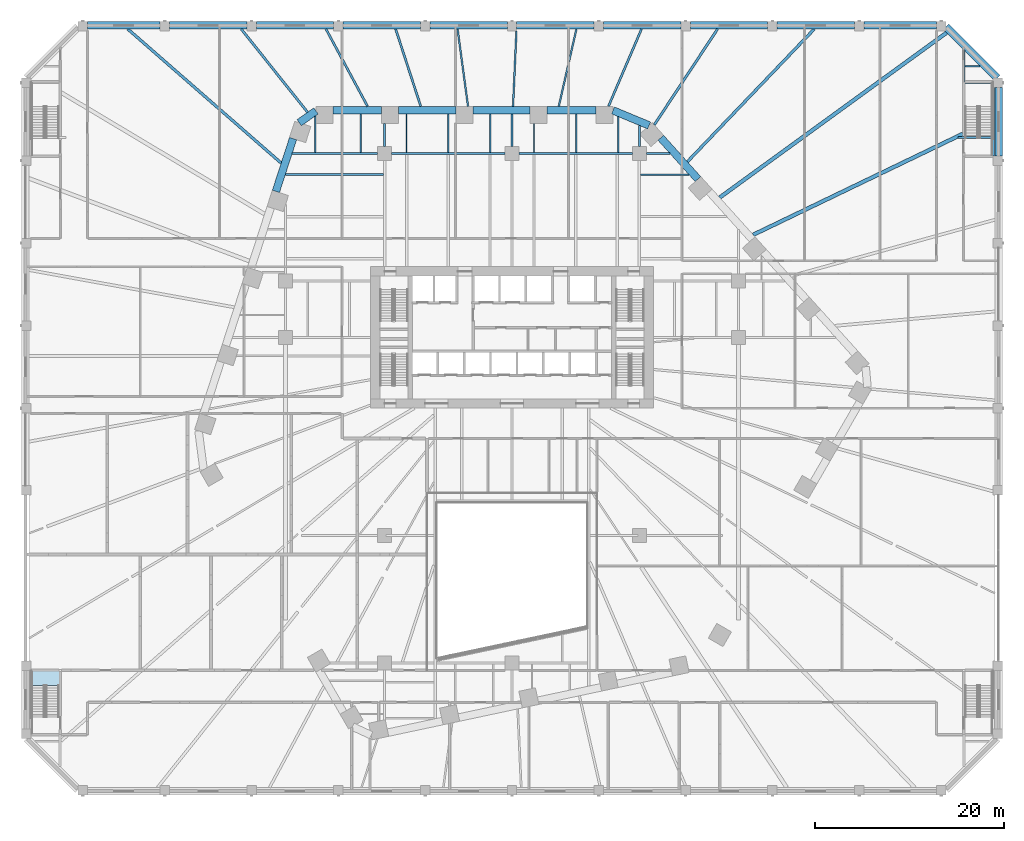
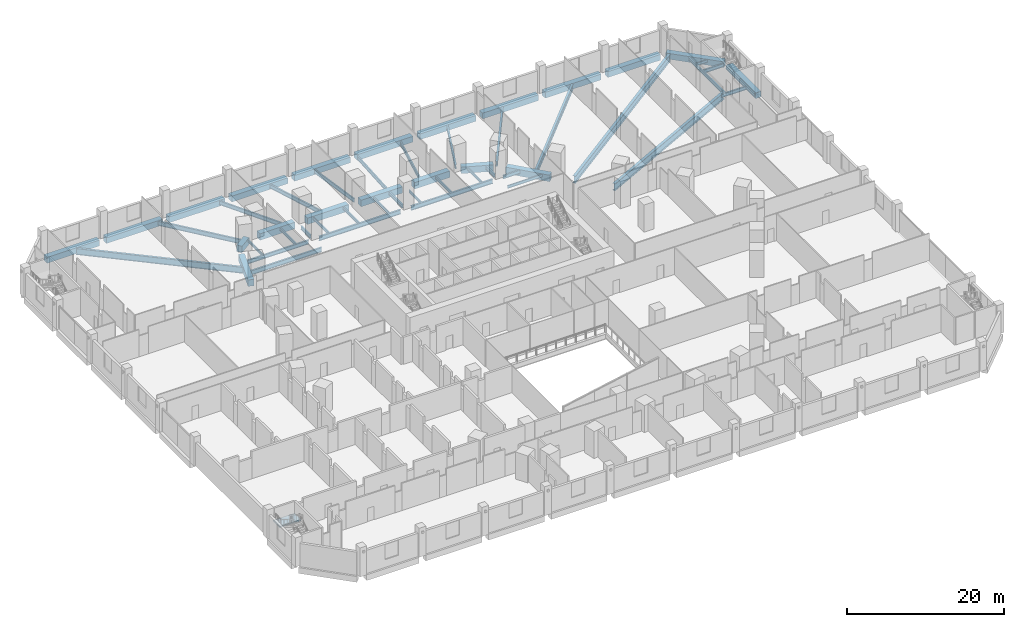
# One storey, part 11 of 33: 54 beams, 1 slab, 1 element without a shape of its own.
"""IFC4 building model written with IfcOpenShell, lengths in metres."""

from ifc_helpers import new_model, si_unit, direction, frame, origin, origin_2d, place, context, subcontext, project, spatial, polyline, rectangle, i_section, outline, extrude, material, layer, layer_set, material_profile, profile_set, type_object, element, aggregate, save


model = new_model("IFC4")

# Units and contexts
model_context = context("Model", 3, precision=1e-05, world=origin(), true_north=direction((0.0, 1.0)))
body_context = subcontext(model_context, "Body", "Model", "MODEL_VIEW")
ifc_project = project(units=[si_unit("LENGTHUNIT", "METRE"), si_unit("AREAUNIT", "SQUARE_METRE"), si_unit("VOLUMEUNIT", "CUBIC_METRE"), si_unit("PLANEANGLEUNIT", "RADIAN"), si_unit("MASSUNIT", "GRAM", prefix="KILO")], contexts=[model_context])

# Site, building, storey
site_placement = place(None, origin())
site = spatial("IfcSite", under=ifc_project, at=site_placement, CompositionType="ELEMENT")
building_placement = place(site_placement, origin())
building = spatial("IfcBuilding", under=site, at=building_placement, Name="Isthmus Gate Tower", CompositionType="ELEMENT")
storey_placement = place(building_placement, frame((0.0, 0.0, 22.5)))
storey = spatial("IfcBuildingStorey", under=building, at=storey_placement, Name="L03", CompositionType="ELEMENT", Elevation=22.5)

# Beams
ifc_material_1 = material(Name="Concrete f'c 70 MPa", Category="concrete")
ifc_material_profile_1 = material_profile(ifc_material_1, rectangle(XDim=0.800048828125, YDim=0.89990234375, at=origin_2d()), Name="RC 800X900")
ifc_profile_set_1 = profile_set([ifc_material_profile_1], Name="Concrete f'c 70 MPa")
beam_type_1 = type_object("IfcBeamType", Name="RC EDGE BEAM 800 X 900", PredefinedType="BEAM", material=ifc_profile_set_1)
beam_1_placement = place(storey_placement, frame((-45.0, 40.60009765625, -0.75), z_axis=(1.0, 0.0, 0.0), x_axis=(0.0, 1.0, 0.0)))
element("IfcBeam", 1, at=beam_1_placement, inside=storey, type_object=beam_type_1, Name="str-edgebeam-L03-09", PredefinedType="BEAM", context=body_context, shape_type="SweptSolid", body=[
    extrude(rectangle(XDim=0.800048828125, YDim=0.89990234375, at=origin_2d()), origin(), (0.0, 0.0, 1.0), 7.699951171875),
])
beam_2_placement = place(storey_placement, frame((-36.300048828125, 40.60009765625, -0.75), z_axis=(1.0, 0.0, 0.0), x_axis=(0.0, 1.0, 0.0)))
element("IfcBeam", 2, at=beam_2_placement, inside=storey, type_object=beam_type_1, Name="str-edgebeam-L03-10", PredefinedType="BEAM", context=body_context, shape_type="SweptSolid", body=[
    extrude(rectangle(XDim=0.800048828125, YDim=0.89990234375, at=origin_2d()), origin(), (0.0, 0.0, 1.0), 8.199951171875),
])
beam_3_placement = place(storey_placement, frame((-27.10009765625, 40.60009765625, -0.75), z_axis=(1.0, 0.0, 0.0), x_axis=(0.0, 1.0, 0.0)))
element("IfcBeam", 3, at=beam_3_placement, inside=storey, type_object=beam_type_1, Name="str-edgebeam-L03-11", PredefinedType="BEAM", context=body_context, shape_type="SweptSolid", body=[
    extrude(rectangle(XDim=0.800048828125, YDim=0.89990234375, at=origin_2d()), origin(), (0.0, 0.0, 1.0), 8.2001953125),
])
for number, where, z_axis, x_axis, name in (
    (4, (-17.89990234375, 40.60009765625, -0.75), (1.0, 0.0, 0.0), (0.0, 1.0, 0.0), "str-edgebeam-L03-12"),
    (5, (-8.699951171875, 40.60009765625, -0.75), (1.0, 0.0, 0.0), (0.0, 1.0, 0.0), "str-edgebeam-L03-13"),
    (6, (0.5, 40.60009765625, -0.75), (1.0, 0.0, 0.0), (0.0, 1.0, 0.0), "str-edgebeam-L03-14"),
    (7, (9.699951171875, 40.60009765625, -0.75), (1.0, 0.0, 0.0), (0.0, 1.0, 0.0), "str-edgebeam-L03-15"),
):
    element("IfcBeam", number, at=place(storey_placement, frame(where, z_axis=z_axis, x_axis=x_axis)), inside=storey, type_object=beam_type_1, Name=name, PredefinedType="BEAM", context=body_context, shape_type="SweptSolid", body=[
        extrude(rectangle(XDim=0.800048828125, YDim=0.89990234375, at=origin_2d()), origin(), (0.0, 0.0, 1.0), 8.199951171875),
    ])
beam_4_placement = place(storey_placement, frame((18.89990234375, 40.60009765625, -0.75), z_axis=(1.0, 0.0, 0.0), x_axis=(0.0, 1.0, 0.0)))
element("IfcBeam", 8, at=beam_4_placement, inside=storey, type_object=beam_type_1, Name="str-edgebeam-L03-16", PredefinedType="BEAM", context=body_context, shape_type="SweptSolid", body=[
    extrude(rectangle(XDim=0.800048828125, YDim=0.89990234375, at=origin_2d()), origin(), (0.0, 0.0, 1.0), 8.2001953125),
])
beam_5_placement = place(storey_placement, frame((28.10009765625, 40.60009765625, -0.75), z_axis=(1.0, 0.0, 0.0), x_axis=(0.0, 1.0, 0.0)))
element("IfcBeam", 9, at=beam_5_placement, inside=storey, type_object=beam_type_1, Name="str-edgebeam-L03-17", PredefinedType="BEAM", context=body_context, shape_type="SweptSolid", body=[
    extrude(rectangle(XDim=0.800048828125, YDim=0.89990234375, at=origin_2d()), origin(), (0.0, 0.0, 1.0), 8.199951171875),
])
beam_6_placement = place(storey_placement, frame((37.300048828125, 40.60009765625, -0.75), z_axis=(1.0, 0.0, 0.0), x_axis=(0.0, 1.0, 0.0)))
element("IfcBeam", 10, at=beam_6_placement, inside=storey, type_object=beam_type_1, Name="str-edgebeam-L03-18", PredefinedType="BEAM", context=body_context, shape_type="SweptSolid", body=[
    extrude(rectangle(XDim=0.800048828125, YDim=0.89990234375, at=origin_2d()), origin(), (0.0, 0.0, 1.0), 7.699951171875),
])
beam_7_placement = place(storey_placement, frame((46.0, 40.434326171875, -0.75), z_axis=(0.707106781187, -0.707106781187, 0.0), x_axis=(0.707106781187, 0.707106781187, 0.0)))
element("IfcBeam", 11, at=beam_7_placement, inside=storey, type_object=beam_type_1, Name="str-edgebeam-L03-19", PredefinedType="BEAM", context=body_context, shape_type="SweptSolid", body=[
    extrude(rectangle(XDim=0.800048828125, YDim=0.89990234375, at=origin_2d()), origin(), (0.0, 0.0, 1.0), 7.685302734375),
])
beam_8_placement = place(storey_placement, frame((51.60009765625, 34.0, -0.75), z_axis=(0.0, -1.0, 0.0), x_axis=(1.0, 0.0, 0.0)))
element("IfcBeam", 12, at=beam_8_placement, inside=storey, type_object=beam_type_1, Name="str-edgebeam-L03-20", PredefinedType="BEAM", context=body_context, shape_type="SweptSolid", body=[
    extrude(rectangle(XDim=0.800048828125, YDim=0.89990234375, at=origin_2d()), origin(), (0.0, 0.0, 1.0), 7.25),
])
ifc_material_2 = material(Name="Concrete f'c 70 MPa", Category="concrete")
ifc_material_profile_2 = material_profile(ifc_material_2, rectangle(XDim=0.800048828125, YDim=1.0, at=origin_2d()), Name="RC 800X1000")
ifc_profile_set_2 = profile_set([ifc_material_profile_2], Name="Concrete f'c 70 MPa")
beam_type_2 = type_object("IfcBeamType", Name="RC TUBE RING BEAM 800 X 1000", PredefinedType="BEAM", material=ifc_profile_set_2)
beam_9_placement = place(storey_placement, frame((10.701904296875, 31.56689453125, -0.800048828125), z_axis=(0.923334166719, -0.383997417399, 0.0), x_axis=(0.383997417399, 0.923334166719, 0.0)))
element("IfcBeam", 13, at=beam_9_placement, inside=storey, type_object=beam_type_2, Name="str-ringbeam-L03-00", PredefinedType="BEAM", context=body_context, shape_type="SweptSolid", body=[
    extrude(rectangle(XDim=0.800048828125, YDim=1.0, at=origin_2d()), origin(), (0.0, 0.0, 1.0), 4.15234375),
])
for number, where, z_axis, x_axis, name in (
    (14, (15.772216796875, 28.66357421875, -0.800048828125), (0.669141061586, -0.743135411415, 0.0), (0.743135411415, 0.669141061586, 0.0), "str-ringbeam-L03-01"),
    (15, (-25.02490234375, 22.978271484375, -0.800048828125), (0.309042953764, 0.951048081187, 0.0), (-0.951048081187, 0.309042953764, 0.0), "str-ringbeam-L03-18"),
):
    element("IfcBeam", number, at=place(storey_placement, frame(where, z_axis=z_axis, x_axis=x_axis)), inside=storey, type_object=beam_type_2, Name=name, PredefinedType="BEAM", context=body_context, shape_type="SweptSolid", body=[
        extrude(rectangle(XDim=0.800048828125, YDim=1.0, at=origin_2d()), origin(), (0.0, 0.0, 1.0), 5.889404296875),
    ])
beam_10_placement = place(storey_placement, frame((-22.553466796875, 30.260498046875, -0.800048828125), z_axis=(0.817857331203, 0.575421050882, 0.0), x_axis=(-0.575421050882, 0.817857331203, 0.0)))
element("IfcBeam", 16, at=beam_10_placement, inside=storey, type_object=beam_type_2, Name="str-ringbeam-L03-19", PredefinedType="BEAM", context=body_context, shape_type="SweptSolid", body=[
    extrude(rectangle(XDim=0.800048828125, YDim=1.0, at=origin_2d()), origin(), (0.0, 0.0, 1.0), 2.173095703125),
])
beam_11_placement = place(storey_placement, frame((-18.976318359375, 31.60009765625, -0.800048828125), z_axis=(1.0, 0.0, 0.0), x_axis=(0.0, 1.0, 0.0)))
element("IfcBeam", 17, at=beam_11_placement, inside=storey, type_object=beam_type_2, Name="str-ringbeam-L03-20", PredefinedType="BEAM", context=body_context, shape_type="SweptSolid", body=[
    extrude(rectangle(XDim=0.800048828125, YDim=1.0, at=origin_2d()), origin(), (0.0, 0.0, 1.0), 5.169677734375),
])
beam_12_placement = place(storey_placement, frame((-12.006591796875, 31.60009765625, -0.800048828125), z_axis=(1.0, 0.0, 0.0), x_axis=(0.0, 1.0, 0.0)))
element("IfcBeam", 18, at=beam_12_placement, inside=storey, type_object=beam_type_2, Name="str-ringbeam-L03-21", PredefinedType="BEAM", context=body_context, shape_type="SweptSolid", body=[
    extrude(rectangle(XDim=0.800048828125, YDim=1.0, at=origin_2d()), origin(), (0.0, 0.0, 1.0), 6.0693359375),
])
beam_13_placement = place(storey_placement, frame((-4.13720703125, 31.60009765625, -0.800048828125), z_axis=(1.0, 0.0, 0.0), x_axis=(0.0, 1.0, 0.0)))
element("IfcBeam", 19, at=beam_13_placement, inside=storey, type_object=beam_type_2, Name="str-ringbeam-L03-22", PredefinedType="BEAM", context=body_context, shape_type="SweptSolid", body=[
    extrude(rectangle(XDim=0.800048828125, YDim=1.0, at=origin_2d()), origin(), (0.0, 0.0, 1.0), 6.069580078125),
])
beam_14_placement = place(storey_placement, frame((3.732421875, 31.60009765625, -0.800048828125), z_axis=(1.0, 0.0, 0.0), x_axis=(0.0, 1.0, 0.0)))
element("IfcBeam", 20, at=beam_14_placement, inside=storey, type_object=beam_type_2, Name="str-ringbeam-L03-23", PredefinedType="BEAM", context=body_context, shape_type="SweptSolid", body=[
    extrude(rectangle(XDim=0.800048828125, YDim=1.0, at=origin_2d()), origin(), (0.0, 0.0, 1.0), 5.16943359375),
])
ifc_material_3 = material(Name="Structural steel ASTM A992 Gr 50", Category="steel")
ifc_material_profile_3 = material_profile(ifc_material_3, i_section(OverallWidth=0.1396484375, OverallDepth=0.4033203125, WebThickness=0.00634765625, FlangeThickness=0.010986328125, at=origin_2d()), Name="W16X31")
ifc_profile_set_3 = profile_set([ifc_material_profile_3], Name="Structural steel ASTM A992 Gr 50")
beam_type_3 = type_object("IfcBeamType", Name="STEEL FLOOR BEAM W16X31", PredefinedType="JOIST", material=ifc_profile_set_3)
beam_15_placement = place(storey_placement, frame((-20.846435546875, 27.1142578125, -0.501708984375), z_axis=(0.0, 1.0, 0.0), x_axis=(-1.0, 0.0, 0.0)))
element("IfcBeam", 21, at=beam_15_placement, inside=storey, type_object=beam_type_3, Name="str-beam-L03-08-00", PredefinedType="JOIST", context=body_context, shape_type="SweptSolid", body=[
    extrude(i_section(OverallWidth=0.1396484375, OverallDepth=0.4033203125, WebThickness=0.00634765625, FlangeThickness=0.010986328125, at=origin_2d()), origin(), (0.0, 0.0, 1.0), 3.858154296875),
])
beam_16_placement = place(storey_placement, frame((2.33740234375, 27.126953125, -0.501708984375), z_axis=(0.0, 1.0, 0.0), x_axis=(-1.0, 0.0, 0.0)))
element("IfcBeam", 22, at=beam_16_placement, inside=storey, type_object=beam_type_3, Name="str-beam-L03-18-00", PredefinedType="JOIST", context=body_context, shape_type="SweptSolid", body=[
    extrude(i_section(OverallWidth=0.1396484375, OverallDepth=0.4033203125, WebThickness=0.00634765625, FlangeThickness=0.010986328125, at=origin_2d()), origin(), (0.0, 0.0, 1.0), 3.072998046875),
])
beam_17_placement = place(storey_placement, frame((11.267578125, 27.126953125, -0.501708984375), z_axis=(0.0, 1.0, 0.0), x_axis=(-1.0, 0.0, 0.0)))
element("IfcBeam", 23, at=beam_17_placement, inside=storey, type_object=beam_type_3, Name="str-beam-L03-18-02", PredefinedType="JOIST", context=body_context, shape_type="SweptSolid", body=[
    extrude(i_section(OverallWidth=0.1396484375, OverallDepth=0.4033203125, WebThickness=0.00634765625, FlangeThickness=0.010986328125, at=origin_2d()), origin(), (0.0, 0.0, 1.0), 3.771484375),
])
beam_18_placement = place(storey_placement, frame((48.0, 36.25146484375, -0.501708984375), z_axis=(1.0, 0.0, 0.0), x_axis=(0.0, 1.0, 0.0)))
element("IfcBeam", 24, at=beam_18_placement, inside=storey, type_object=beam_type_3, Name="str-beam-L03-27-00", PredefinedType="JOIST", context=body_context, shape_type="SweptSolid", body=[
    extrude(i_section(OverallWidth=0.1396484375, OverallDepth=0.4033203125, WebThickness=0.00634765625, FlangeThickness=0.010986328125, at=origin_2d()), origin(), (0.0, 0.0, 1.0), 1.616943359375),
])
ifc_material_4 = material(Name="Structural steel ASTM A992 Gr 50", Category="steel")
ifc_material_profile_4 = material_profile(ifc_material_4, i_section(OverallWidth=0.15234375, OverallDepth=0.45068359375, WebThickness=0.0078125, FlangeThickness=0.010986328125, at=origin_2d()), Name="W18X35")
ifc_profile_set_4 = profile_set([ifc_material_profile_4], Name="Structural steel ASTM A992 Gr 50")
beam_type_4 = type_object("IfcBeamType", Name="STEEL FLOOR BEAM W18X35", PredefinedType="JOIST", material=ifc_profile_set_4)
beam_19_placement = place(storey_placement, frame((-16.0185546875, 27.1142578125, -0.525390625), z_axis=(0.0, 1.0, 0.0), x_axis=(-1.0, 0.0, 0.0)))
element("IfcBeam", 25, at=beam_19_placement, inside=storey, type_object=beam_type_4, Name="str-beam-L03-08-01", PredefinedType="JOIST", context=body_context, shape_type="SweptSolid", body=[
    extrude(i_section(OverallWidth=0.15234375, OverallDepth=0.45068359375, WebThickness=0.0078125, FlangeThickness=0.010986328125, at=origin_2d()), origin(), (0.0, 0.0, 1.0), 4.085693359375),
])
for number, where, z_axis, x_axis, name in (
    (26, (-11.18017578125, 27.126953125, -0.525390625), (0.0, 1.0, 0.0), (-1.0, 0.0, 0.0), "str-beam-L03-12-00"),
    (27, (-6.75, 27.126953125, -0.525390625), (0.0, 1.0, 0.0), (-1.0, 0.0, 0.0), "str-beam-L03-12-01"),
    (28, (-2.31982421875, 27.126953125, -0.525390625), (0.0, 1.0, 0.0), (-1.0, 0.0, 0.0), "str-beam-L03-12-02"),
    (29, (6.802490234375, 27.126953125, -0.525390625), (0.0, 1.0, 0.0), (-1.0, 0.0, 0.0), "str-beam-L03-18-01"),
):
    element("IfcBeam", number, at=place(storey_placement, frame(where, z_axis=z_axis, x_axis=x_axis)), inside=storey, type_object=beam_type_4, Name=name, PredefinedType="JOIST", context=body_context, shape_type="SweptSolid", body=[
        extrude(i_section(OverallWidth=0.15234375, OverallDepth=0.45068359375, WebThickness=0.0078125, FlangeThickness=0.010986328125, at=origin_2d()), origin(), (0.0, 0.0, 1.0), 4.072998046875),
    ])
beam_20_placement = place(storey_placement, frame((13.626953125, 24.76904296875, -0.525390625), z_axis=(1.0, 0.0, 0.0), x_axis=(0.0, 1.0, 0.0)))
element("IfcBeam", 30, at=beam_20_placement, inside=storey, type_object=beam_type_4, Name="str-beam-L03-23-02", PredefinedType="JOIST", context=body_context, shape_type="SweptSolid", body=[
    extrude(i_section(OverallWidth=0.15234375, OverallDepth=0.45068359375, WebThickness=0.0078125, FlangeThickness=0.010986328125, at=origin_2d()), origin(), (0.0, 0.0, 1.0), 5.11376953125),
])
ifc_material_5 = material(Name="Structural steel ASTM A992 Gr 50", Category="steel")
ifc_material_profile_5 = material_profile(ifc_material_5, i_section(OverallWidth=0.177734375, OverallDepth=0.60009765625, WebThickness=0.009521484375, FlangeThickness=0.0126953125, at=origin_2d()), Name="W24X55")
ifc_profile_set_5 = profile_set([ifc_material_profile_5], Name="Structural steel ASTM A992 Gr 50")
beam_type_5 = type_object("IfcBeamType", Name="STEEL FLOOR BEAM W24X55", PredefinedType="JOIST", material=ifc_profile_set_5)
beam_21_placement = place(storey_placement, frame((4.958740234375, 32.0, -0.60009765625), z_axis=(0.222520559445, 0.974927997662, 0.0), x_axis=(-0.974927997662, 0.222520559445, 0.0)))
element("IfcBeam", 31, at=beam_21_placement, inside=storey, type_object=beam_type_5, Name="str-beam-L03-15-08", PredefinedType="JOIST", context=body_context, shape_type="SweptSolid", body=[
    extrude(i_section(OverallWidth=0.177734375, OverallDepth=0.60009765625, WebThickness=0.009521484375, FlangeThickness=0.0126953125, at=origin_2d()), origin(), (0.0, 0.0, 1.0), 8.410888671875),
])
beam_22_placement = place(storey_placement, frame((0.110107421875, 32.0, -0.60009765625), z_axis=(0.04484619238, 0.998993903399, 0.0), x_axis=(-0.998993903399, 0.04484619238, 0.0)))
element("IfcBeam", 32, at=beam_22_placement, inside=storey, type_object=beam_type_5, Name="str-beam-L03-15-09", PredefinedType="JOIST", context=body_context, shape_type="SweptSolid", body=[
    extrude(i_section(OverallWidth=0.177734375, OverallDepth=0.60009765625, WebThickness=0.009521484375, FlangeThickness=0.0126953125, at=origin_2d()), origin(), (0.0, 0.0, 1.0), 8.008056640625),
])
beam_23_placement = place(storey_placement, frame((-4.66015625, 32.0, -0.60009765625), z_axis=(-0.134242876482, 0.990948459868, 0.0), x_axis=(-0.990948459868, -0.134242876482, 0.0)))
element("IfcBeam", 33, at=beam_23_placement, inside=storey, type_object=beam_type_5, Name="str-beam-L03-15-10", PredefinedType="JOIST", context=body_context, shape_type="SweptSolid", body=[
    extrude(i_section(OverallWidth=0.177734375, OverallDepth=0.60009765625, WebThickness=0.009521484375, FlangeThickness=0.0126953125, at=origin_2d()), origin(), (0.0, 0.0, 1.0), 8.27490234375),
])
ifc_material_6 = material(Name="Structural steel ASTM A992 Gr 50", Category="steel")
ifc_material_profile_6 = material_profile(ifc_material_6, i_section(OverallWidth=0.228515625, OverallDepth=0.603271484375, WebThickness=0.010986328125, FlangeThickness=0.014404296875, at=origin_2d()), Name="W24X68")
ifc_profile_set_6 = profile_set([ifc_material_profile_6], Name="Structural steel ASTM A992 Gr 50")
beam_type_6 = type_object("IfcBeamType", Name="STEEL FLOOR BEAM W24X68", PredefinedType="JOIST", material=ifc_profile_set_6)
beam_24_placement = place(storey_placement, frame((10.226318359375, 32.0, -0.6015625), z_axis=(0.393030292185, 0.919525524075, 0.0), x_axis=(-0.919525524075, 0.393030292185, 0.0)))
element("IfcBeam", 34, at=beam_24_placement, inside=storey, type_object=beam_type_6, Name="str-beam-L03-15-07", PredefinedType="JOIST", context=body_context, shape_type="SweptSolid", body=[
    extrude(i_section(OverallWidth=0.228515625, OverallDepth=0.603271484375, WebThickness=0.010986328125, FlangeThickness=0.014404296875, at=origin_2d()), origin(), (0.0, 0.0, 1.0), 8.91748046875),
])
beam_25_placement = place(storey_placement, frame((-9.6708984375, 32.0, -0.6015625), z_axis=(-0.309015000782, 0.95105716405, 0.0), x_axis=(-0.95105716405, -0.309015000782, 0.0)))
element("IfcBeam", 35, at=beam_25_placement, inside=storey, type_object=beam_type_6, Name="str-beam-L03-15-11", PredefinedType="JOIST", context=body_context, shape_type="SweptSolid", body=[
    extrude(i_section(OverallWidth=0.228515625, OverallDepth=0.603271484375, WebThickness=0.010986328125, FlangeThickness=0.014404296875, at=origin_2d()), origin(), (0.0, 0.0, 1.0), 8.621826171875),
])
beam_26_placement = place(storey_placement, frame((-15.309326171875, 32.0, -0.6015625), z_axis=(-0.473869975618, 0.880594825222, 0.0), x_axis=(-0.880594825222, -0.473869975618, 0.0)))
element("IfcBeam", 36, at=beam_26_placement, inside=storey, type_object=beam_type_6, Name="str-beam-L03-15-12", PredefinedType="JOIST", context=body_context, shape_type="SweptSolid", body=[
    extrude(i_section(OverallWidth=0.228515625, OverallDepth=0.603271484375, WebThickness=0.010986328125, FlangeThickness=0.014404296875, at=origin_2d()), origin(), (0.0, 0.0, 1.0), 9.311767578125),
])
ifc_material_7 = material(Name="Structural steel ASTM A992 Gr 50", Category="steel")
ifc_material_profile_7 = material_profile(ifc_material_7, i_section(OverallWidth=0.25390625, OverallDepth=0.679443359375, WebThickness=0.010986328125, FlangeThickness=0.015869140625, at=origin_2d()), Name="W27X84")
ifc_profile_set_7 = profile_set([ifc_material_profile_7], Name="Structural steel ASTM A992 Gr 50")
beam_type_7 = type_object("IfcBeamType", Name="STEEL FLOOR BEAM W27X84", PredefinedType="JOIST", material=ifc_profile_set_7)
beam_27_placement = place(storey_placement, frame((-24.0224609375, 24.76904296875, -0.6396484375), z_axis=(1.0, 0.0, 0.0), x_axis=(0.0, 1.0, 0.0)))
element("IfcBeam", 37, at=beam_27_placement, inside=storey, type_object=beam_type_7, Name="str-beam-L03-07-02", PredefinedType="JOIST", context=body_context, shape_type="SweptSolid", body=[
    extrude(i_section(OverallWidth=0.25390625, OverallDepth=0.679443359375, WebThickness=0.010986328125, FlangeThickness=0.015869140625, at=origin_2d()), origin(), (0.0, 0.0, 1.0), 10.3955078125),
])
beam_28_placement = place(storey_placement, frame((-21.66796875, 31.37255859375, -0.6396484375), z_axis=(-0.623499776614, 0.781823527762, 0.0), x_axis=(-0.781823527762, -0.623499776614, 0.0)))
element("IfcBeam", 38, at=beam_28_placement, inside=storey, type_object=beam_type_7, Name="str-beam-L03-15-13", PredefinedType="JOIST", context=body_context, shape_type="SweptSolid", body=[
    extrude(i_section(OverallWidth=0.25390625, OverallDepth=0.679443359375, WebThickness=0.010986328125, FlangeThickness=0.015869140625, at=origin_2d()), origin(), (0.0, 0.0, 1.0), 11.290771484375),
])
ifc_material_8 = material(Name="Structural steel ASTM A992 Gr 50", Category="steel")
ifc_material_profile_8 = material_profile(ifc_material_8, i_section(OverallWidth=0.263427734375, OverallDepth=0.749267578125, WebThickness=0.0126953125, FlangeThickness=0.015869140625, at=origin_2d()), Name="W30X90")
ifc_profile_set_8 = profile_set([ifc_material_profile_8], Name="Structural steel ASTM A992 Gr 50")
beam_type_8 = type_object("IfcBeamType", Name="STEEL FLOOR BEAM W30X90", PredefinedType="JOIST", material=ifc_profile_set_8)
beam_29_placement = place(storey_placement, frame((15.079833984375, 30.030517578125, -0.674560546875), z_axis=(0.550889101354, 0.834578455275, 0.0), x_axis=(-0.834578455275, 0.550889101354, 0.0)))
element("IfcBeam", 39, at=beam_29_placement, inside=storey, type_object=beam_type_8, Name="str-beam-L03-15-06", PredefinedType="JOIST", context=body_context, shape_type="SweptSolid", body=[
    extrude(i_section(OverallWidth=0.263427734375, OverallDepth=0.749267578125, WebThickness=0.0126953125, FlangeThickness=0.015869140625, at=origin_2d()), origin(), (0.0, 0.0, 1.0), 12.18505859375),
])
ifc_material_9 = material(Name="Structural steel ASTM A992 Gr 50", Category="steel")
ifc_material_profile_9 = material_profile(ifc_material_9, i_section(OverallWidth=0.3046875, OverallDepth=0.914306640625, WebThickness=0.015869140625, FlangeThickness=0.025390625, at=origin_2d()), Name="W36X160")
ifc_profile_set_9 = profile_set([ifc_material_profile_9], Name="Structural steel ASTM A992 Gr 50")
beam_type_9 = type_object("IfcBeamType", Name="STEEL FLOOR BEAM W36X160", PredefinedType="JOIST", material=ifc_profile_set_9)
beam_30_placement = place(storey_placement, frame((18.59375, 26.127685546875, -0.757080078125), z_axis=(0.691059486303, 0.72279788765, 0.0), x_axis=(-0.72279788765, 0.691059486303, 0.0)))
element("IfcBeam", 40, at=beam_30_placement, inside=storey, type_object=beam_type_9, Name="str-beam-L03-15-05", PredefinedType="JOIST", context=body_context, shape_type="SweptSolid", body=[
    extrude(i_section(OverallWidth=0.3046875, OverallDepth=0.914306640625, WebThickness=0.015869140625, FlangeThickness=0.025390625, at=origin_2d()), origin(), (0.0, 0.0, 1.0), 19.46923828125),
])
ifc_material_10 = material(Name="Structural steel ASTM A992 Gr 50", Category="steel")
ifc_material_profile_10 = material_profile(ifc_material_10, i_section(OverallWidth=0.29833984375, OverallDepth=0.981201171875, WebThickness=0.015869140625, FlangeThickness=0.025390625, at=origin_2d()), Name="W40X167")
ifc_profile_set_10 = profile_set([ifc_material_profile_10], Name="Structural steel ASTM A992 Gr 50")
beam_type_10 = type_object("IfcBeamType", Name="STEEL FLOOR BEAM W40X167", PredefinedType="JOIST", material=ifc_profile_set_10)
beam_31_placement = place(storey_placement, frame((-24.467529296875, 25.988037109375, -0.79052734375), z_axis=(-0.753071489738, 0.657938698774, 0.0), x_axis=(-0.657938698774, -0.753071489738, 0.0)))
element("IfcBeam", 41, at=beam_31_placement, inside=storey, type_object=beam_type_10, Name="str-beam-L03-15-14", PredefinedType="JOIST", context=body_context, shape_type="SweptSolid", body=[
    extrude(i_section(OverallWidth=0.29833984375, OverallDepth=0.981201171875, WebThickness=0.015869140625, FlangeThickness=0.025390625, at=origin_2d()), origin(), (0.0, 0.0, 1.0), 21.6005859375),
])
ifc_material_11 = material(Name="Structural steel ASTM A992 Gr 50", Category="steel")
ifc_material_profile_11 = material_profile(ifc_material_11, i_section(OverallWidth=0.39990234375, OverallDepth=1.089111328125, WebThickness=0.017578125, FlangeThickness=0.03173828125, at=origin_2d()), Name="W44X230")
ifc_profile_set_11 = profile_set([ifc_material_profile_11], Name="Structural steel ASTM A992 Gr 50")
beam_type_11 = type_object("IfcBeamType", Name="STEEL FLOOR BEAM W44X230", PredefinedType="JOIST", material=ifc_profile_set_11)
beam_32_placement = place(storey_placement, frame((25.566162109375, 18.384033203125, -0.844482421875), z_axis=(0.900969715704, 0.433881978634, 0.0), x_axis=(-0.433881978634, 0.900969715704, 0.0)))
element("IfcBeam", 42, at=beam_32_placement, inside=storey, type_object=beam_type_11, Name="str-beam-L03-15-03", PredefinedType="JOIST", context=body_context, shape_type="SweptSolid", body=[
    extrude(i_section(OverallWidth=0.39990234375, OverallDepth=1.089111328125, WebThickness=0.017578125, FlangeThickness=0.03173828125, at=origin_2d()), origin(), (0.0, 0.0, 1.0), 24.667236328125),
])
beam_33_placement = place(storey_placement, frame((22.013427734375, 22.329833984375, -0.844482421875), z_axis=(0.809019378866, 0.587781970308, 0.0), x_axis=(-0.587781970308, 0.809019378866, 0.0)))
element("IfcBeam", 43, at=beam_33_placement, inside=storey, type_object=beam_type_11, Name="str-beam-L03-15-04", PredefinedType="JOIST", context=body_context, shape_type="SweptSolid", body=[
    extrude(i_section(OverallWidth=0.39990234375, OverallDepth=1.089111328125, WebThickness=0.017578125, FlangeThickness=0.03173828125, at=origin_2d()), origin(), (0.0, 0.0, 1.0), 29.72900390625),
])
ifc_material_12 = material(Name="Structural steel ASTM A992 Gr 50", Category="steel")
ifc_material_profile_12 = material_profile(ifc_material_12, i_section(OverallWidth=0.20947265625, OverallDepth=0.533447265625, WebThickness=0.009521484375, FlangeThickness=0.015869140625, at=origin_2d()), Name="W21X62")
ifc_profile_set_12 = profile_set([ifc_material_profile_12], Name="Structural steel ASTM A992 Gr 50")
beam_type_12 = type_object("IfcBeamType", Name="STEEL GIRDER W21X62", PredefinedType="BEAM", material=ifc_profile_set_12)
beam_34_placement = place(storey_placement, frame((14.25, 27.0, -0.566650390625), z_axis=(1.0, 0.0, 0.0), x_axis=(0.0, 1.0, 0.0)))
element("IfcBeam", 44, at=beam_34_placement, inside=storey, type_object=beam_type_12, Name="str-girder-L03-19", PredefinedType="BEAM", context=body_context, shape_type="SweptSolid", body=[
    extrude(i_section(OverallWidth=0.20947265625, OverallDepth=0.533447265625, WebThickness=0.009521484375, FlangeThickness=0.015869140625, at=origin_2d()), origin(), (0.0, 0.0, 1.0), 2.48193359375),
])
beam_35_placement = place(storey_placement, frame((-13.5, 27.75, -0.566650390625), z_axis=(0.0, 1.0, 0.0), x_axis=(-1.0, 0.0, 0.0)))
element("IfcBeam", 45, at=beam_35_placement, inside=storey, type_object=beam_type_12, Name="str-girder-L03-25", PredefinedType="BEAM", context=body_context, shape_type="SweptSolid", body=[
    extrude(i_section(OverallWidth=0.20947265625, OverallDepth=0.533447265625, WebThickness=0.009521484375, FlangeThickness=0.015869140625, at=origin_2d()), origin(), (0.0, 0.0, 1.0), 2.449951171875),
])
beam_36_placement = place(storey_placement, frame((0.0, 27.75, -0.566650390625), z_axis=(0.0, 1.0, 0.0), x_axis=(-1.0, 0.0, 0.0)))
element("IfcBeam", 46, at=beam_36_placement, inside=storey, type_object=beam_type_12, Name="str-girder-L03-28", PredefinedType="BEAM", context=body_context, shape_type="SweptSolid", body=[
    extrude(i_section(OverallWidth=0.20947265625, OverallDepth=0.533447265625, WebThickness=0.009521484375, FlangeThickness=0.015869140625, at=origin_2d()), origin(), (0.0, 0.0, 1.0), 3.449951171875),
])
beam_37_placement = place(storey_placement, frame((13.5, 27.75, -0.566650390625), z_axis=(0.0, 1.0, 0.0), x_axis=(-1.0, 0.0, 0.0)))
element("IfcBeam", 47, at=beam_37_placement, inside=storey, type_object=beam_type_12, Name="str-girder-L03-30", PredefinedType="BEAM", context=body_context, shape_type="SweptSolid", body=[
    extrude(i_section(OverallWidth=0.20947265625, OverallDepth=0.533447265625, WebThickness=0.009521484375, FlangeThickness=0.015869140625, at=origin_2d()), origin(), (0.0, 0.0, 1.0), 2.219970703125),
])
ifc_material_13 = material(Name="Structural steel ASTM A992 Gr 50", Category="steel")
ifc_material_profile_13 = material_profile(ifc_material_13, i_section(OverallWidth=0.228515625, OverallDepth=0.6064453125, WebThickness=0.010986328125, FlangeThickness=0.017578125, at=origin_2d()), Name="W24X76")
ifc_profile_set_13 = profile_set([ifc_material_profile_13], Name="Structural steel ASTM A992 Gr 50")
beam_type_13 = type_object("IfcBeamType", Name="STEEL GIRDER W24X76", PredefinedType="BEAM", material=ifc_profile_set_13)
beam_38_placement = place(storey_placement, frame((-23.297607421875, 27.0, -0.603271484375), z_axis=(1.0, 0.0, 0.0), x_axis=(0.0, 1.0, 0.0)))
element("IfcBeam", 48, at=beam_38_placement, inside=storey, type_object=beam_type_13, Name="str-girder-L03-16", PredefinedType="BEAM", context=body_context, shape_type="SweptSolid", body=[
    extrude(i_section(OverallWidth=0.228515625, OverallDepth=0.6064453125, WebThickness=0.010986328125, FlangeThickness=0.017578125, at=origin_2d()), origin(), (0.0, 0.0, 1.0), 9.047607421875),
])
ifc_material_14 = material(Name="Structural steel ASTM A992 Gr 50", Category="steel")
ifc_material_profile_14 = material_profile(ifc_material_14, i_section(OverallWidth=0.25390625, OverallDepth=0.679443359375, WebThickness=0.010986328125, FlangeThickness=0.015869140625, at=origin_2d()), Name="W27X84")
ifc_profile_set_14 = profile_set([ifc_material_profile_14], Name="Structural steel ASTM A992 Gr 50")
beam_type_14 = type_object("IfcBeamType", Name="STEEL GIRDER W27X84", PredefinedType="BEAM", material=ifc_profile_set_14)
for number, where, z_axis, x_axis, name in (
    (49, (-12.75, 27.0, -0.6396484375), (1.0, 0.0, 0.0), (0.0, 1.0, 0.0), "str-girder-L03-17"),
    (50, (0.75, 27.0, -0.6396484375), (1.0, 0.0, 0.0), (0.0, 1.0, 0.0), "str-girder-L03-18"),
):
    element("IfcBeam", number, at=place(storey_placement, frame(where, z_axis=z_axis, x_axis=x_axis)), inside=storey, type_object=beam_type_14, Name=name, PredefinedType="BEAM", context=body_context, shape_type="SweptSolid", body=[
        extrude(i_section(OverallWidth=0.25390625, OverallDepth=0.679443359375, WebThickness=0.010986328125, FlangeThickness=0.015869140625, at=origin_2d()), origin(), (0.0, 0.0, 1.0), 12.0),
    ])
ifc_material_15 = material(Name="Structural steel ASTM A992 Gr 50", Category="steel")
ifc_material_profile_15 = material_profile(ifc_material_15, i_section(OverallWidth=0.20947265625, OverallDepth=0.533447265625, WebThickness=0.009521484375, FlangeThickness=0.015869140625, at=origin_2d()), Name="W21X62")
ifc_profile_set_15 = profile_set([ifc_material_profile_15], Name="Structural steel ASTM A992 Gr 50")
beam_type_15 = type_object("IfcBeamType", Name="STEEL TRIMMER W21X62", PredefinedType="BEAM", material=ifc_profile_set_15)
beam_39_placement = place(storey_placement, frame((51.0546875, 26.75, -0.566650390625), z_axis=(0.0, 1.0, 0.0), x_axis=(-1.0, 0.0, 0.0)))
element("IfcBeam", 51, at=beam_39_placement, inside=storey, type_object=beam_type_15, Name="str-trimmer-L03-07", PredefinedType="BEAM", context=body_context, shape_type="SweptSolid", body=[
    extrude(i_section(OverallWidth=0.20947265625, OverallDepth=0.533447265625, WebThickness=0.009521484375, FlangeThickness=0.015869140625, at=origin_2d()), origin(), (0.0, 0.0, 1.0), 7.25),
])
beam_40_placement = place(storey_placement, frame((47.895263671875, 37.973388671875, -0.566650390625), z_axis=(0.0, -1.0, 0.0), x_axis=(1.0, 0.0, 0.0)))
element("IfcBeam", 52, at=beam_40_placement, inside=storey, type_object=beam_type_15, Name="str-trimmer-L03-08", PredefinedType="BEAM", context=body_context, shape_type="SweptSolid", body=[
    extrude(i_section(OverallWidth=0.20947265625, OverallDepth=0.533447265625, WebThickness=0.009521484375, FlangeThickness=0.015869140625, at=origin_2d()), origin(), (0.0, 0.0, 1.0), 9.1484375),
])
beam_41_placement = place(storey_placement, frame((51.0, 34.52978515625, -0.566650390625), z_axis=(-1.0, 0.0, 0.0), x_axis=(0.0, -1.0, 0.0)))
element("IfcBeam", 53, at=beam_41_placement, inside=storey, type_object=beam_type_15, Name="str-trimmer-L03-17", PredefinedType="BEAM", context=body_context, shape_type="SweptSolid", body=[
    extrude(i_section(OverallWidth=0.20947265625, OverallDepth=0.533447265625, WebThickness=0.009521484375, FlangeThickness=0.015869140625, at=origin_2d()), origin(), (0.0, 0.0, 1.0), 3.0),
])
beam_42_placement = place(storey_placement, frame((47.300048828125, 28.72021484375, -0.566650390625), z_axis=(1.0, 0.0, 0.0), x_axis=(0.0, 1.0, 0.0)))
element("IfcBeam", 54, at=beam_42_placement, inside=storey, type_object=beam_type_15, Name="str-trimmer-L03-18", PredefinedType="BEAM", context=body_context, shape_type="SweptSolid", body=[
    extrude(i_section(OverallWidth=0.20947265625, OverallDepth=0.533447265625, WebThickness=0.009521484375, FlangeThickness=0.015869140625, at=origin_2d()), origin(), (0.0, 0.0, 1.0), 3.64990234375),
])

# Stair, slab
ifc_material_16 = material(Name="Concrete f'c 40 MPa", Category="concrete")
stair_type = type_object("IfcStairType", Name="Podium exit stair 1400 wide flights", PredefinedType="HALF_TURN_STAIR", material=ifc_material_16)
stair_placement = place(storey_placement, origin())
stair = element("IfcStair", 55, at=stair_placement, inside=storey, type_object=stair_type, Name="L03 Podium Exit Stair ST3", PredefinedType="HALF_TURN_STAIR")
ifc_material_17 = material(Name="Concrete f'c 40 MPa", Category="concrete")
ifc_layer = layer(ifc_material_17, 0.199951171875)
ifc_layer_set = layer_set([ifc_layer], Name="Podium stair landing 200")
slab_type = type_object("IfcSlabType", Name="Podium stair landing 200", PredefinedType="LANDING", material=ifc_layer_set)
slab_placement = place(storey_placement, frame((0.0, 0.0, 2.050048828125)))
slab = element("IfcSlab", 56, at=slab_placement, type_object=slab_type, Name="ST3 landing 1", PredefinedType="LANDING", context=body_context, shape_type="SweptSolid", body=[
    extrude(outline(polyline([(-47.89990234375, -29.364990234375), (-47.89990234375, -27.72900390625), (-51.050048828125, -27.72900390625), (-51.050048828125, -29.364990234375), (-47.89990234375, -29.364990234375)])), origin(), (0.0, 0.0, 1.0), 0.199951171875),
])
aggregate(stair, [slab])

save(model, "model.ifc")
